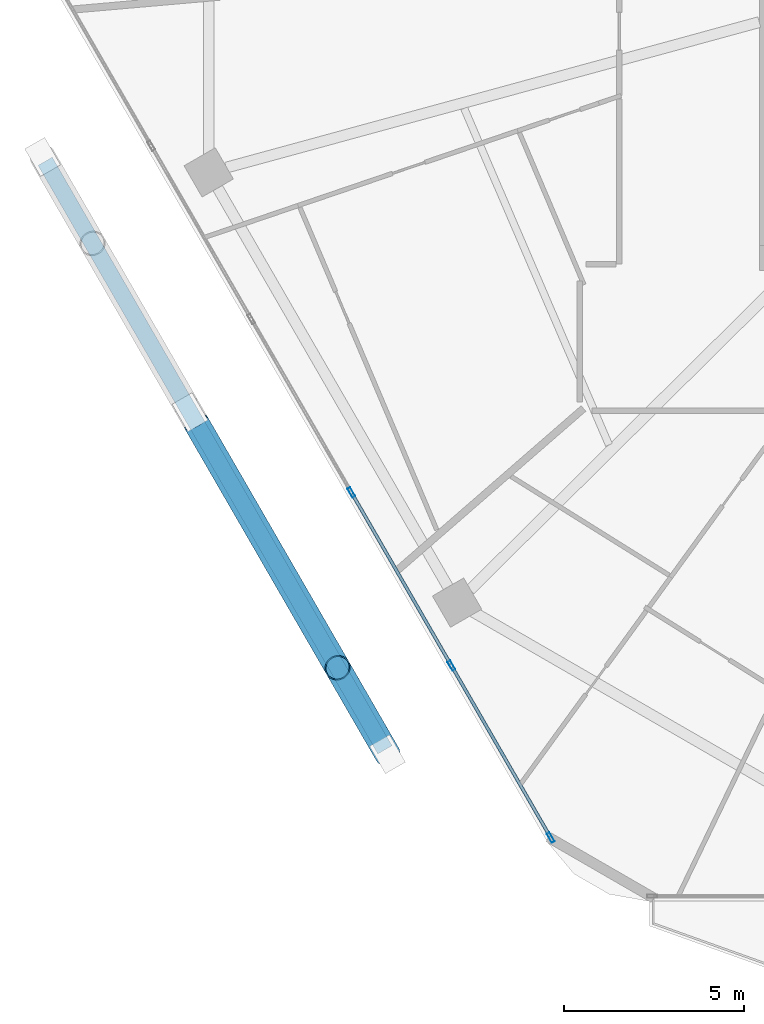
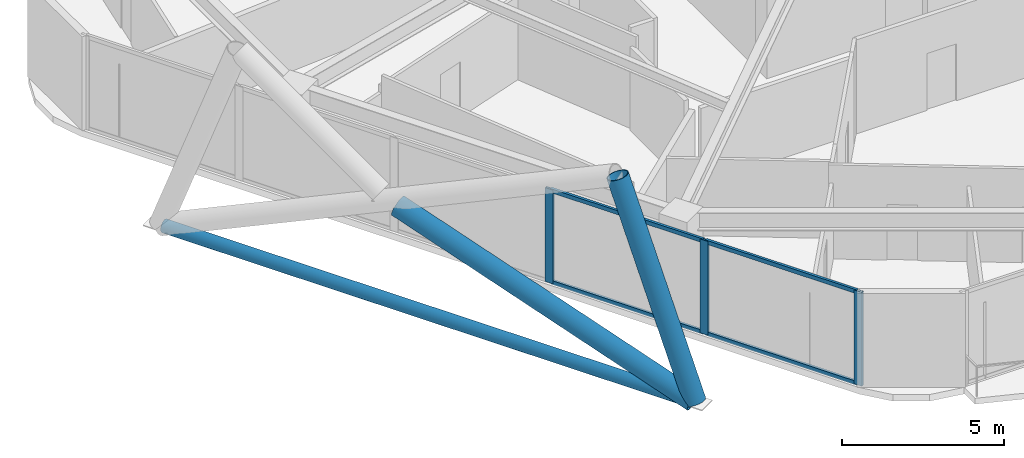
# One storey, part 2 of 29: 10 members, 1 element without a shape of its own.
"""IFC4 building model written with IfcOpenShell, lengths in metres."""

from ifc_helpers import new_model, si_unit, direction, frame, origin, origin_2d, place, context, subcontext, project, spatial, hollow_rectangle, hollow_circle, extrude, material, material_profile, profile_set, type_object, element, aggregate, save


model = new_model("IFC4")

# Units and contexts
model_context = context("Model", 3, precision=1e-05, world=origin(), true_north=direction((0.0, 1.0)))
body_context = subcontext(model_context, "Body", "Model", "MODEL_VIEW")
ifc_project = project(units=[si_unit("LENGTHUNIT", "METRE"), si_unit("AREAUNIT", "SQUARE_METRE"), si_unit("VOLUMEUNIT", "CUBIC_METRE"), si_unit("PLANEANGLEUNIT", "RADIAN"), si_unit("MASSUNIT", "GRAM", prefix="KILO")], contexts=[model_context])

# Site, building, storey
site_placement = place(None, origin())
site = spatial("IfcSite", under=ifc_project, at=site_placement, CompositionType="ELEMENT")
building_placement = place(site_placement, origin())
building = spatial("IfcBuilding", under=site, at=building_placement, Name="Zuhravey Tower", CompositionType="ELEMENT")
storey_placement = place(building_placement, frame((0.0, 0.0, 161.800048828125)))
storey = spatial("IfcBuildingStorey", under=building, at=storey_placement, Name="L40", CompositionType="ELEMENT", Elevation=161.800048828125)

# Curtain wall, members
ifc_material_1 = material(Name="Thermally broken anodised aluminium", Category="aluminium")
curtain_wall_type = type_object("IfcCurtainWallType", Name="Zone 1-2 Residential Curtain Wall CW3", PredefinedType="NOTDEFINED", material=ifc_material_1)
curtain_wall_placement = place(storey_placement, origin())
curtain_wall = element("IfcCurtainWall", 1, at=curtain_wall_placement, inside=storey, type_object=curtain_wall_type, Name="L40 CW3 CW-L40-F4-1", PredefinedType="NOTDEFINED")
ifc_material_2 = material(Name="Anodised aluminium", Category="aluminium")
ifc_material_profile_1 = material_profile(ifc_material_2, hollow_rectangle(XDim=0.090087890625, YDim=0.284912109375, WallThickness=0.0048828125, at=origin_2d()), Name="ALU-RHS-90x285x5")
ifc_profile_set_1 = profile_set([ifc_material_profile_1], Name="Anodised aluminium")
member_type_1 = type_object("IfcMemberType", Name="Curtain-Wall Mullion 90x180", PredefinedType="MULLION", material=ifc_profile_set_1)
member_1_placement = place(storey_placement, frame((19.36669921875, 6.443359375, 0.0), z_axis=(0.0, 0.0, 1.0), x_axis=(-0.866025138215, -0.500000459979, 0.0)))
member_1 = element("IfcMember", 2, at=member_1_placement, type_object=member_type_1, Name="CW3 mullion 1", PredefinedType="MULLION", context=body_context, shape_type="SweptSolid", body=[
    extrude(hollow_rectangle(XDim=0.090087890625, YDim=0.284912109375, WallThickness=0.0048828125, at=origin_2d()), origin(), (0.0, 0.0, 1.0), 3.550048828125),
])
member_2_placement = place(storey_placement, frame((16.6171875, 11.2060546875, 0.0), z_axis=(0.0, 0.0, 1.0), x_axis=(-0.866025138215, -0.500000459979, 0.0)))
member_2 = element("IfcMember", 3, at=member_2_placement, type_object=member_type_1, Name="CW3 mullion 2", PredefinedType="MULLION", context=body_context, shape_type="SweptSolid", body=[
    extrude(hollow_rectangle(XDim=0.090087890625, YDim=0.284912109375, WallThickness=0.0048828125, at=origin_2d()), origin(), (0.0, 0.0, 1.0), 3.550048828125),
])
member_3_placement = place(storey_placement, frame((13.844970703125, 16.007568359375, 0.0), z_axis=(0.0, 0.0, 1.0), x_axis=(-0.866025138215, -0.500000459979, 0.0)))
member_3 = element("IfcMember", 4, at=member_3_placement, type_object=member_type_1, Name="CW3 mullion 3", PredefinedType="MULLION", context=body_context, shape_type="SweptSolid", body=[
    extrude(hollow_rectangle(XDim=0.090087890625, YDim=0.284912109375, WallThickness=0.0048828125, at=origin_2d()), origin(), (0.0, 0.0, 1.0), 3.550048828125),
])
ifc_material_profile_2 = material_profile(ifc_material_2, hollow_rectangle(XDim=0.090087890625, YDim=0.14990234375, WallThickness=0.0048828125, at=origin_2d()), Name="ALU-RHS-90x150x5")
ifc_profile_set_2 = profile_set([ifc_material_profile_2], Name="Anodised aluminium")
member_type_2 = type_object("IfcMemberType", Name="Curtain-Wall Transom 90x150", PredefinedType="USERDEFINED", material=ifc_profile_set_2)
member_4_placement = place(storey_placement, frame((19.34423828125, 6.482421875, 0.044921875), z_axis=(-0.499993332629, 0.866029253159, 0.0), x_axis=(-0.866029253159, -0.499993332629, 0.0)))
member_4 = element("IfcMember", 5, at=member_4_placement, type_object=member_type_2, Name="CW3 transom 1.1", ObjectType="TRANSOM", PredefinedType="USERDEFINED", context=body_context, shape_type="SweptSolid", body=[
    extrude(hollow_rectangle(XDim=0.090087890625, YDim=0.14990234375, WallThickness=0.0048828125, at=origin_2d()), origin(), (0.0, 0.0, 1.0), 5.4091796875),
])
member_5_placement = place(storey_placement, frame((19.34423828125, 6.482421875, 3.5048828125), z_axis=(-0.499993332629, 0.866029253159, 0.0), x_axis=(-0.866029253159, -0.499993332629, 0.0)))
member_5 = element("IfcMember", 6, at=member_5_placement, type_object=member_type_2, Name="CW3 transom 1.2", ObjectType="TRANSOM", PredefinedType="USERDEFINED", context=body_context, shape_type="SweptSolid", body=[
    extrude(hollow_rectangle(XDim=0.090087890625, YDim=0.14990234375, WallThickness=0.0048828125, at=origin_2d()), origin(), (0.0, 0.0, 1.0), 5.4091796875),
])
member_6_placement = place(storey_placement, frame((16.594482421875, 11.244873046875, 0.044921875), z_axis=(-0.49996138257, 0.86604769842, 0.0), x_axis=(-0.86604769842, -0.49996138257, 0.0)))
member_6 = element("IfcMember", 7, at=member_6_placement, type_object=member_type_2, Name="CW3 transom 2.1", ObjectType="TRANSOM", PredefinedType="USERDEFINED", context=body_context, shape_type="SweptSolid", body=[
    extrude(hollow_rectangle(XDim=0.090087890625, YDim=0.14990234375, WallThickness=0.0048828125, at=origin_2d()), origin(), (0.0, 0.0, 1.0), 5.45458984375),
])
member_7_placement = place(storey_placement, frame((16.594482421875, 11.244873046875, 3.5048828125), z_axis=(-0.49996138257, 0.86604769842, 0.0), x_axis=(-0.86604769842, -0.49996138257, 0.0)))
member_7 = element("IfcMember", 8, at=member_7_placement, type_object=member_type_2, Name="CW3 transom 2.2", ObjectType="TRANSOM", PredefinedType="USERDEFINED", context=body_context, shape_type="SweptSolid", body=[
    extrude(hollow_rectangle(XDim=0.090087890625, YDim=0.14990234375, WallThickness=0.0048828125, at=origin_2d()), origin(), (0.0, 0.0, 1.0), 5.45458984375),
])
aggregate(curtain_wall, [member_1, member_2, member_3, member_4, member_5, member_6, member_7])

# Members
ifc_material_3 = material(Name="Steel SM355", Category="steel")
ifc_material_profile_3 = material_profile(ifc_material_3, hollow_circle(Radius=0.228515625, WallThickness=0.02197265625, at=origin_2d()), Name="CHS-457.2x22")
ifc_profile_set_3 = profile_set([ifc_material_profile_3], Name="Steel SM355")
member_type_3 = type_object("IfcMemberType", Name="Exoskeleton Ring Tie CHS457x22", PredefinedType="CHORD", material=ifc_profile_set_3)
member_8_placement = place(storey_placement, frame((5.361083984375, 25.18212890625, -0.464111328125), z_axis=(0.499989194203, -0.866031642424, 0.0), x_axis=(0.866031642424, 0.499989194203, 0.0)))
element("IfcMember", 9, at=member_8_placement, inside=storey, type_object=member_type_3, Name="L40 Exoskeleton Face 4 Tie EXR1", PredefinedType="CHORD", context=body_context, shape_type="SweptSolid", body=[
    extrude(hollow_circle(Radius=0.228515625, WallThickness=0.02197265625, at=origin_2d()), origin(), (0.0, 0.0, 1.0), 18.830078125),
])
ifc_material_4 = material(Name="Steel SM460", Category="steel")
ifc_material_profile_4 = material_profile(ifc_material_4, hollow_circle(Radius=0.355712890625, WallThickness=0.031982421875, at=origin_2d()), Name="CHS-711.2x32")
ifc_profile_set_4 = profile_set([ifc_material_profile_4], Name="Steel SM460")
member_type_4 = type_object("IfcMemberType", Name="Exoskeleton Zone 2 Diagrid CHS711x32", PredefinedType="BRACE", material=ifc_profile_set_4)
member_9_placement = place(storey_placement, frame((14.84228515625, 8.760009765625, -0.444091796875), z_axis=(-0.171428917165, 0.296929081792, 0.939385568734), x_axis=(-0.866029404905, -0.499993069792, 0.0)))
element("IfcMember", 10, at=member_9_placement, inside=storey, type_object=member_type_4, Name="L40 Face 4 Diagrid Brace 4", PredefinedType="BRACE", context=body_context, shape_type="SweptSolid", body=[
    extrude(hollow_circle(Radius=0.355712890625, WallThickness=0.031982421875, at=origin_2d()), origin(), (0.0, 0.0, 1.0), 8.0478515625),
])
member_10_placement = place(storey_placement, frame((14.82373046875, 8.79248046875, -0.448486328125), z_axis=(-0.472345150126, 0.818084346156, 0.32806716039), x_axis=(-0.866014433275, -0.500019000998, 0.0)))
element("IfcMember", 11, at=member_10_placement, inside=storey, type_object=member_type_4, Name="L40 Face 4 Split Diagrid Brace 3A", PredefinedType="BRACE", context=body_context, shape_type="SweptSolid", body=[
    extrude(hollow_circle(Radius=0.355712890625, WallThickness=0.031982421875, at=origin_2d()), origin(), (0.0, 0.0, 1.0), 11.190185546875),
])

save(model, "model.ifc")
